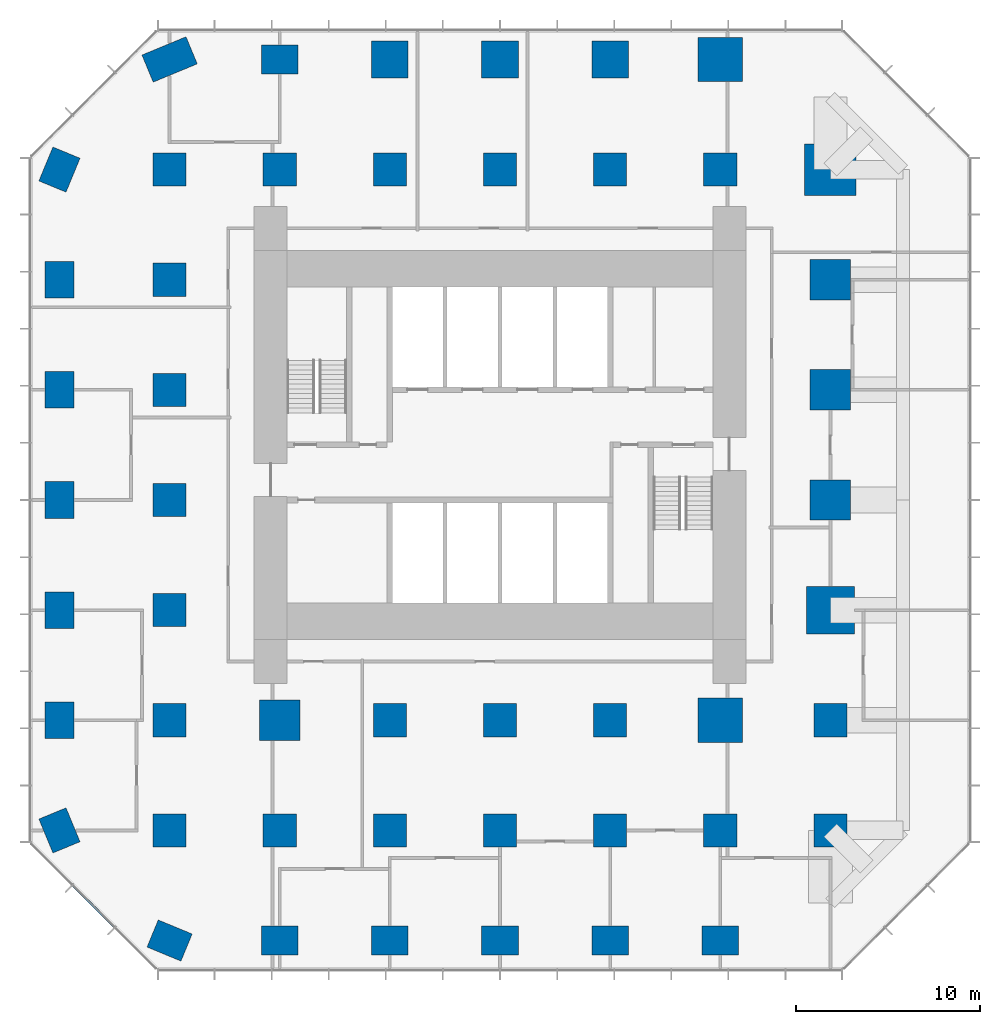
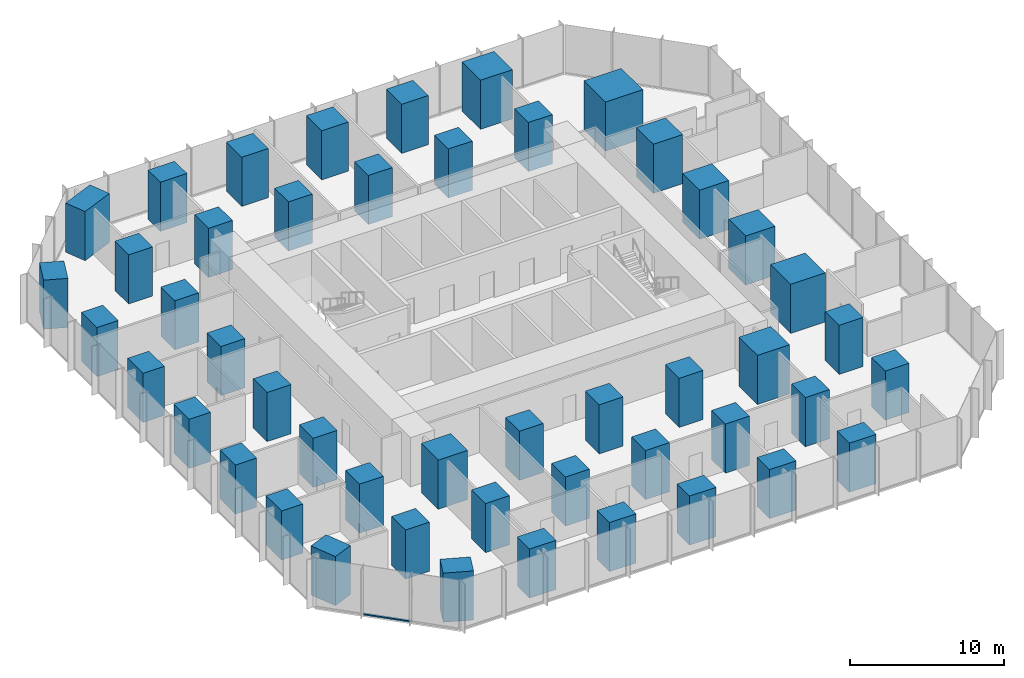
# One storey, part 1 of 12: 48 columns, 1 member, 1 element without a shape of its own.
"""IFC4 building model written with IfcOpenShell, lengths in metres."""

from ifc_helpers import new_model, si_unit, direction, frame, origin, origin_2d, place, context, subcontext, project, spatial, rectangle, extrude, material, layer, layer_set, material_profile, profile_set, type_object, element, aggregate, save


model = new_model("IFC4")

# Units and contexts
model_context = context("Model", 3, precision=1e-05, world=origin(), true_north=direction((0.0, 1.0)))
body_context = subcontext(model_context, "Body", "Model", "MODEL_VIEW")
ifc_project = project(units=[si_unit("LENGTHUNIT", "METRE"), si_unit("AREAUNIT", "SQUARE_METRE"), si_unit("VOLUMEUNIT", "CUBIC_METRE"), si_unit("PLANEANGLEUNIT", "RADIAN"), si_unit("MASSUNIT", "GRAM", prefix="KILO")], contexts=[model_context])

# Site, building, storey
site_placement = place(None, origin())
site = spatial("IfcSite", under=ifc_project, at=site_placement, CompositionType="ELEMENT")
building_placement = place(site_placement, origin())
building = spatial("IfcBuilding", under=site, at=building_placement, Name="Highveld Stack Headquarters", CompositionType="ELEMENT")
storey_placement = place(building_placement, frame((0.0, 0.0, 49.39990234375)))
storey = spatial("IfcBuildingStorey", under=building, at=storey_placement, Name="L11", CompositionType="ELEMENT", Elevation=49.39990234375)

# Columns
ifc_material_1 = material(Name="Concrete C60/75", Category="concrete")
ifc_material_profile_1 = material_profile(ifc_material_1, rectangle(XDim=1.800048828125, YDim=1.800048828125, at=origin_2d()), Name="RC 1800x1800")
ifc_profile_set_1 = profile_set([ifc_material_profile_1], Name="Concrete C60/75")
column_type_1 = type_object("IfcColumnType", Name="COLUMN RC 1800x1800 C60/75", PredefinedType="COLUMN", material=ifc_profile_set_1)
for number, where, z_axis, x_axis, name in (
    (1, (-12.0, -18.0, 0.0), (0.0, 0.0, 1.0), (1.0, 0.0, 0.0), "Column 4/B L11"),
    (2, (-12.0, -12.0, 0.0), (0.0, 0.0, 1.0), (1.0, 0.0, 0.0), "Column 4/C L11"),
    (3, (-12.0, -6.0, 0.0), (0.0, 0.0, 1.0), (1.0, 0.0, 0.0), "Column 4/D L11"),
    (4, (-12.0, 0.0, 0.0), (0.0, 0.0, 1.0), (1.0, 0.0, 0.0), "Column 4/E L11"),
    (5, (-12.0, 6.0, 0.0), (0.0, 0.0, 1.0), (1.0, 0.0, 0.0), "Column 4/F L11"),
    (6, (-12.0, 12.0, 0.0), (0.0, 0.0, 1.0), (1.0, 0.0, 0.0), "Column 4/G L11"),
    (7, (-12.0, 18.0, 0.0), (0.0, 0.0, 1.0), (1.0, 0.0, 0.0), "Column 4/H L11"),
    (8, (-6.0, -18.0, 0.0), (0.0, 0.0, 1.0), (1.0, 0.0, 0.0), "Column 5/B L11"),
    (9, (-6.0, 18.0, 0.0), (0.0, 0.0, 1.0), (1.0, 0.0, 0.0), "Column 5/H L11"),
    (10, (0.0, -18.0, 0.0), (0.0, 0.0, 1.0), (1.0, 0.0, 0.0), "Column 6/B L11"),
    (11, (0.0, -12.0, 0.0), (0.0, 0.0, 1.0), (1.0, 0.0, 0.0), "Column 6/C L11"),
    (12, (0.0, 18.0, 0.0), (0.0, 0.0, 1.0), (1.0, 0.0, 0.0), "Column 6/H L11"),
    (13, (6.0, -18.0, 0.0), (0.0, 0.0, 1.0), (1.0, 0.0, 0.0), "Column 7/B L11"),
    (14, (6.0, -12.0, 0.0), (0.0, 0.0, 1.0), (1.0, 0.0, 0.0), "Column 7/C L11"),
    (15, (6.0, 18.0, 0.0), (0.0, 0.0, 1.0), (1.0, 0.0, 0.0), "Column 7/H L11"),
    (16, (12.0, -18.0, 0.0), (0.0, 0.0, 1.0), (1.0, 0.0, 0.0), "Column 8/B L11"),
    (17, (12.0, -12.0, 0.0), (0.0, 0.0, 1.0), (1.0, 0.0, 0.0), "Column 8/C L11"),
    (18, (12.0, 18.0, 0.0), (0.0, 0.0, 1.0), (1.0, 0.0, 0.0), "Column 8/H L11"),
    (19, (18.0, -18.0, 0.0), (0.0, 0.0, 1.0), (1.0, 0.0, 0.0), "Column 9/B L11"),
    (20, (18.0, 18.0, 0.0), (0.0, 0.0, 1.0), (1.0, 0.0, 0.0), "Column 9/H L11"),
    (21, (24.0, -18.0, 0.0), (0.0, 0.0, 1.0), (1.0, 0.0, 0.0), "Column 10/B L11"),
    (22, (24.0, -12.0, 0.0), (0.0, 0.0, 1.0), (1.0, 0.0, 0.0), "Column 10/C L11"),
):
    element("IfcColumn", number, at=place(storey_placement, frame(where, z_axis=z_axis, x_axis=x_axis)), inside=storey, type_object=column_type_1, Name=name, PredefinedType="COLUMN", context=body_context, shape_type="SweptSolid", body=[
        extrude(rectangle(XDim=1.800048828125, YDim=1.800048828125, at=origin_2d()), origin(), (0.0, 0.0, 1.0), 3.900146484375),
    ])
ifc_material_2 = material(Name="Concrete C60/75", Category="concrete")
ifc_material_profile_2 = material_profile(ifc_material_2, rectangle(XDim=2.0, YDim=1.60009765625, at=origin_2d()), Name="RC 2000x1600")
ifc_profile_set_2 = profile_set([ifc_material_profile_2], Name="Concrete C60/75")
column_type_2 = type_object("IfcColumnType", Name="COLUMN RC 2000x1600 C60/75", PredefinedType="COLUMN", material=ifc_profile_set_2)
for number, where, z_axis, x_axis, name in (
    (23, (-18.0, -18.0, 0.0), (0.0, 0.0, 1.0), (-0.382683432365, 0.923879532511, 0.0), "Column 3/B L11"),
    (24, (-18.0, -12.0, 0.0), (0.0, 0.0, 1.0), (0.0, 1.0, 0.0), "Column 3/C L11"),
    (25, (-18.0, -6.0, 0.0), (0.0, 0.0, 1.0), (0.0, 1.0, 0.0), "Column 3/D L11"),
    (26, (-18.0, 0.0, 0.0), (0.0, 0.0, 1.0), (0.0, 1.0, 0.0), "Column 3/E L11"),
    (27, (-18.0, 6.0, 0.0), (0.0, 0.0, 1.0), (0.0, 1.0, 0.0), "Column 3/F L11"),
    (28, (-18.0, 12.0, 0.0), (0.0, 0.0, 1.0), (0.0, 1.0, 0.0), "Column 3/G L11"),
    (29, (-18.0, 18.0, 0.0), (0.0, 0.0, 1.0), (0.382683432365, 0.923879532511, 0.0), "Column 3/H L11"),
    (30, (-12.0, -24.0, 0.0), (0.0, 0.0, 1.0), (-0.923879532511, 0.382683432365, 0.0), "Column 4/A L11"),
    (31, (-6.0, -24.0, 0.0), (0.0, 0.0, 1.0), (1.0, 0.0, 0.0), "Column 5/A L11"),
    (32, (-6.0, 24.0, 0.0), (0.0, 0.0, 1.0), (1.0, 0.0, 0.0), "Column 5/J L11"),
    (33, (0.0, -24.0, 0.0), (0.0, 0.0, 1.0), (1.0, 0.0, 0.0), "Column 6/A L11"),
    (34, (6.0, -24.0, 0.0), (0.0, 0.0, 1.0), (1.0, 0.0, 0.0), "Column 7/A L11"),
    (35, (12.0, -24.0, 0.0), (0.0, 0.0, 1.0), (1.0, 0.0, 0.0), "Column 8/A L11"),
    (36, (18.0, -24.0, 0.0), (0.0, 0.0, 1.0), (1.0, 0.0, 0.0), "Column 9/A L11"),
):
    element("IfcColumn", number, at=place(storey_placement, frame(where, z_axis=z_axis, x_axis=x_axis)), inside=storey, type_object=column_type_2, Name=name, PredefinedType="COLUMN", context=body_context, shape_type="SweptSolid", body=[
        extrude(rectangle(XDim=2.0, YDim=1.60009765625, at=origin_2d()), origin(), (0.0, 0.0, 1.0), 3.900146484375),
    ])
ifc_material_3 = material(Name="Concrete C60/75", Category="concrete")
ifc_material_profile_3 = material_profile(ifc_material_3, rectangle(XDim=2.0, YDim=2.0, at=origin_2d()), Name="RC 2000x2000")
ifc_profile_set_3 = profile_set([ifc_material_profile_3], Name="Concrete C60/75")
column_type_3 = type_object("IfcColumnType", Name="COLUMN RC 2000x2000 C60/75", PredefinedType="COLUMN", material=ifc_profile_set_3)
for number, where, z_axis, x_axis, name in (
    (37, (0.0, 24.0, 0.0), (0.0, 0.0, 1.0), (1.0, 0.0, 0.0), "Column 6/J L11"),
    (38, (6.0, 24.0, 0.0), (0.0, 0.0, 1.0), (1.0, 0.0, 0.0), "Column 7/J L11"),
    (39, (12.0, 24.0, 0.0), (0.0, 0.0, 1.0), (1.0, 0.0, 0.0), "Column 8/J L11"),
):
    element("IfcColumn", number, at=place(storey_placement, frame(where, z_axis=z_axis, x_axis=x_axis)), inside=storey, type_object=column_type_3, Name=name, PredefinedType="COLUMN", context=body_context, shape_type="SweptSolid", body=[
        extrude(rectangle(XDim=2.0, YDim=2.0, at=origin_2d()), origin(), (0.0, 0.0, 1.0), 3.900146484375),
    ])
ifc_material_4 = material(Name="Concrete C60/75", Category="concrete")
ifc_material_profile_4 = material_profile(ifc_material_4, rectangle(XDim=2.199951171875, YDim=2.199951171875, at=origin_2d()), Name="RC 2200x2200")
ifc_profile_set_4 = profile_set([ifc_material_profile_4], Name="Concrete C60/75")
column_type_4 = type_object("IfcColumnType", Name="COLUMN RC 2200x2200 C60/75", PredefinedType="COLUMN", material=ifc_profile_set_4)
for number, where, z_axis, x_axis, name in (
    (40, (-6.0, -12.0, 0.0), (0.0, 0.0, 1.0), (1.0, 0.0, 0.0), "Column 5/C L11"),
    (41, (24.0, 0.0, 0.0), (0.0, 0.0, 1.0), (1.0, 0.0, 0.0), "Column 10/E L11"),
    (42, (24.0, 6.0, 0.0), (0.0, 0.0, 1.0), (1.0, 0.0, 0.0), "Column 10/F L11"),
    (43, (24.0, 12.0, 0.0), (0.0, 0.0, 1.0), (1.0, 0.0, 0.0), "Column 10/G L11"),
):
    element("IfcColumn", number, at=place(storey_placement, frame(where, z_axis=z_axis, x_axis=x_axis)), inside=storey, type_object=column_type_4, Name=name, PredefinedType="COLUMN", context=body_context, shape_type="SweptSolid", body=[
        extrude(rectangle(XDim=2.199951171875, YDim=2.199951171875, at=origin_2d()), origin(), (0.0, 0.0, 1.0), 3.900146484375),
    ])
ifc_material_5 = material(Name="Concrete C60/75", Category="concrete")
ifc_material_profile_5 = material_profile(ifc_material_5, rectangle(XDim=2.39990234375, YDim=2.39990234375, at=origin_2d()), Name="RC 2400x2400")
ifc_profile_set_5 = profile_set([ifc_material_profile_5], Name="Concrete C60/75")
column_type_5 = type_object("IfcColumnType", Name="COLUMN RC 2400x2400 C60/75", PredefinedType="COLUMN", material=ifc_profile_set_5)
for number, where, z_axis, x_axis, name in (
    (44, (18.0, -12.0, 0.0), (0.0, 0.0, 1.0), (1.0, 0.0, 0.0), "Column 9/C L11"),
    (45, (18.0, 24.0, 0.0), (0.0, 0.0, 1.0), (1.0, 0.0, 0.0), "Column 9/J L11"),
):
    element("IfcColumn", number, at=place(storey_placement, frame(where, z_axis=z_axis, x_axis=x_axis)), inside=storey, type_object=column_type_5, Name=name, PredefinedType="COLUMN", context=body_context, shape_type="SweptSolid", body=[
        extrude(rectangle(XDim=2.39990234375, YDim=2.39990234375, at=origin_2d()), origin(), (0.0, 0.0, 1.0), 3.900146484375),
    ])
ifc_material_6 = material(Name="Concrete C60/75", Category="concrete")
ifc_material_profile_6 = material_profile(ifc_material_6, rectangle(XDim=2.60009765625, YDim=1.60009765625, at=origin_2d()), Name="RC 2600x1600")
ifc_profile_set_6 = profile_set([ifc_material_profile_6], Name="Concrete C60/75")
column_type_6 = type_object("IfcColumnType", Name="COLUMN RC 2600x1600 C60/75", PredefinedType="COLUMN", material=ifc_profile_set_6)
column_1_placement = place(storey_placement, frame((-12.0, 24.0, 0.0), z_axis=(0.0, 0.0, 1.0), x_axis=(0.923879532511, 0.382683432365, 0.0)))
element("IfcColumn", 46, at=column_1_placement, inside=storey, type_object=column_type_6, Name="Column 4/J L11", PredefinedType="COLUMN", context=body_context, shape_type="SweptSolid", body=[
    extrude(rectangle(XDim=2.60009765625, YDim=1.60009765625, at=origin_2d()), origin(), (0.0, 0.0, 1.0), 3.900146484375),
])
ifc_material_7 = material(Name="Concrete C60/75", Category="concrete")
ifc_material_profile_7 = material_profile(ifc_material_7, rectangle(XDim=2.60009765625, YDim=2.60009765625, at=origin_2d()), Name="RC 2600x2600")
ifc_profile_set_7 = profile_set([ifc_material_profile_7], Name="Concrete C60/75")
column_type_7 = type_object("IfcColumnType", Name="COLUMN RC 2600x2600 C60/75", PredefinedType="COLUMN", material=ifc_profile_set_7)
column_2_placement = place(storey_placement, frame((24.0, -6.0, 0.0), z_axis=(0.0, 0.0, 1.0), x_axis=(1.0, 0.0, 0.0)))
element("IfcColumn", 47, at=column_2_placement, inside=storey, type_object=column_type_7, Name="Column 10/D L11", PredefinedType="COLUMN", context=body_context, shape_type="SweptSolid", body=[
    extrude(rectangle(XDim=2.60009765625, YDim=2.60009765625, at=origin_2d()), origin(), (0.0, 0.0, 1.0), 3.900146484375),
])
ifc_material_8 = material(Name="Concrete C60/75", Category="concrete")
ifc_material_profile_8 = material_profile(ifc_material_8, rectangle(XDim=2.800048828125, YDim=2.800048828125, at=origin_2d()), Name="RC 2800x2800")
ifc_profile_set_8 = profile_set([ifc_material_profile_8], Name="Concrete C60/75")
column_type_8 = type_object("IfcColumnType", Name="COLUMN RC 2800x2800 C60/75", PredefinedType="COLUMN", material=ifc_profile_set_8)
column_3_placement = place(storey_placement, frame((24.0, 18.0, 0.0), z_axis=(0.0, 0.0, 1.0), x_axis=(1.0, 0.0, 0.0)))
element("IfcColumn", 48, at=column_3_placement, inside=storey, type_object=column_type_8, Name="Column 10/H L11", PredefinedType="COLUMN", context=body_context, shape_type="SweptSolid", body=[
    extrude(rectangle(XDim=2.800048828125, YDim=2.800048828125, at=origin_2d()), origin(), (0.0, 0.0, 1.0), 3.900146484375),
])

# Curtain wall, member
ifc_material_9 = material(Name="Aluminium bronze anodised", Category="aluminium")
ifc_layer = layer(ifc_material_9, 0.199951171875)
ifc_layer_set = layer_set([ifc_layer], Name="Aluminium bronze anodised")
curtain_wall_type = type_object("IfcCurtainWallType", Name="CW2 TOWER CHAMFER UNITISED CURTAIN WALL", PredefinedType="NOTDEFINED", material=ifc_layer_set)
curtain_wall_placement = place(storey_placement, origin())
curtain_wall = element("IfcCurtainWall", 49, at=curtain_wall_placement, inside=storey, type_object=curtain_wall_type, Name="Curtain wall CW2 L11 SW", PredefinedType="NOTDEFINED")
ifc_material_10 = material(Name="Aluminium bronze anodised", Category="aluminium")
ifc_material_profile_9 = material_profile(ifc_material_10, rectangle(XDim=0.14990234375, YDim=0.10009765625, at=origin_2d()), Name="CW2 TRANSOM 150x100")
ifc_profile_set_9 = profile_set([ifc_material_profile_9], Name="Aluminium bronze anodised")
member_type = type_object("IfcMemberType", Name="CW2 STACK TRANSOM 150x100", PredefinedType="USERDEFINED", material=ifc_profile_set_9)
member_placement = place(storey_placement, frame((-17.2646484375, -20.998046875, 0.050048828125), z_axis=(0.707106781187, -0.707106781187, 0.0), x_axis=(0.707106781187, 0.707106781187, 0.0)))
member = element("IfcMember", 50, at=member_placement, type_object=member_type, Name="CW2 transom L11 2.1", ObjectType="TRANSOM", PredefinedType="USERDEFINED", context=body_context, shape_type="SweptSolid", body=[
    extrude(rectangle(XDim=0.14990234375, YDim=0.10009765625, at=origin_2d()), origin(), (0.0, 0.0, 1.0), 3.20556640625),
])
aggregate(curtain_wall, [member])

save(model, "model.ifc")
